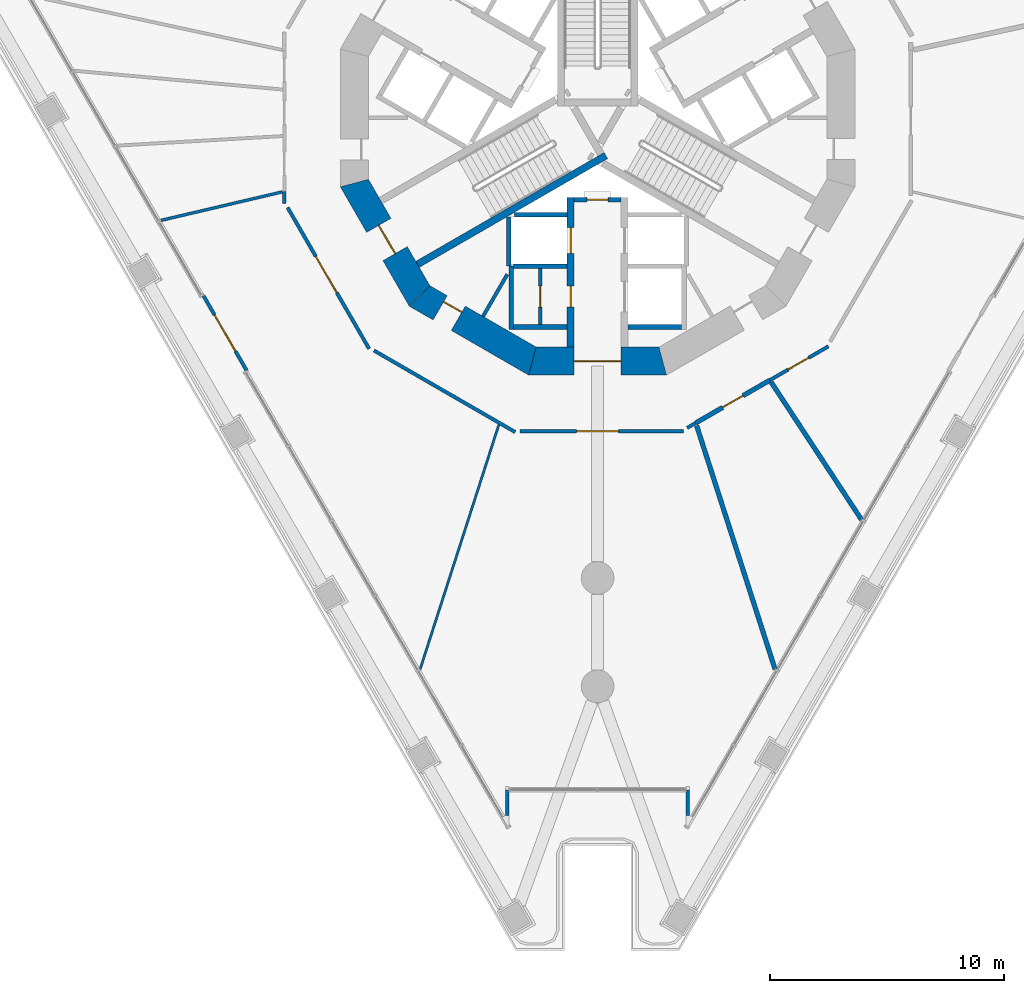
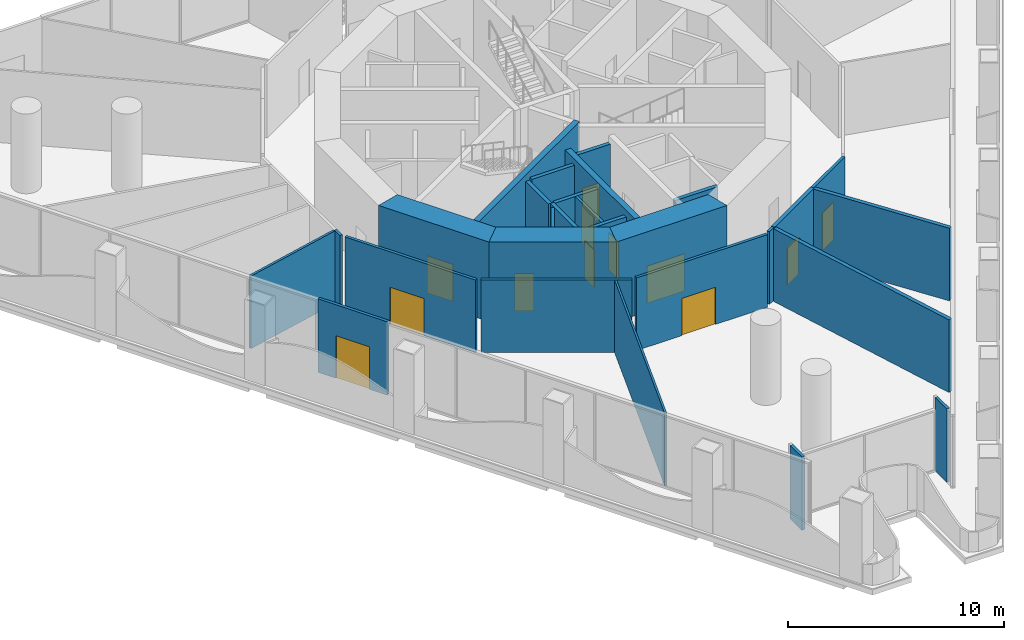
# One storey, part 11 of 23: 28 walls, 12 doors, 12 openings.
"""IFC4 building model written with IfcOpenShell, lengths in metres."""

from ifc_helpers import new_model, si_unit, direction, frame, frame_2d, origin, place, context, subcontext, project, spatial, polyline, rectangle, outline, extrude, material, layer, layer_set, type_object, element, fill, save


model = new_model("IFC4")

# Units and contexts
model_context = context("Model", 3, precision=1e-05, world=origin(), true_north=direction((0.0, 1.0)))
body_context = subcontext(model_context, "Body", "Model", "MODEL_VIEW")
ifc_project = project(units=[si_unit("LENGTHUNIT", "METRE"), si_unit("AREAUNIT", "SQUARE_METRE"), si_unit("VOLUMEUNIT", "CUBIC_METRE"), si_unit("PLANEANGLEUNIT", "RADIAN"), si_unit("MASSUNIT", "GRAM", prefix="KILO")], contexts=[model_context])

# Site, building, storey
site_placement = place(None, origin())
site = spatial("IfcSite", under=ifc_project, at=site_placement, CompositionType="ELEMENT")
building_placement = place(site_placement, origin())
building = spatial("IfcBuilding", under=site, at=building_placement, Name="Trine Commons Tower", CompositionType="ELEMENT")
storey_placement = place(building_placement, frame((0.0, 0.0, 18.0)))
storey = spatial("IfcBuildingStorey", under=building, at=storey_placement, Name="L03", CompositionType="ELEMENT", Elevation=18.0)

# Wall
ifc_material_1 = material(Name="Plasterboard on steel stud", Category="steel")
ifc_layer_1 = layer(ifc_material_1, 0.14990234375)
ifc_layer_set_1 = layer_set([ifc_layer_1], Name="Plasterboard on steel stud")
wall_type_1 = type_object("IfcWallType", Name="Compartment wall 150 mm, EI 60", PredefinedType="PARTITIONING", material=ifc_layer_set_1)
wall_1_placement = place(storey_placement, frame((66.58837890625, 58.831298828125, 0.0), z_axis=(0.0, 0.0, 1.0), x_axis=(0.0, 1.0, 0.0)))
element("IfcWall", 1, at=wall_1_placement, inside=storey, type_object=wall_type_1, Name="Partition P3007", PredefinedType="PARTITIONING", context=body_context, shape_type="SweptSolid", body=[
    extrude(rectangle(XDim=0.521484375, YDim=0.14990234375, at=frame_2d((0.2607421875, 0.0))), origin(), (0.0, 0.0, 1.0), 4.10009765625),
])

# Wall, opening, door
wall_2_placement = place(storey_placement, frame((66.728515625, 58.6640625, 0.0), z_axis=(0.0, 0.0, 1.0), x_axis=(0.49997871953, -0.866037689721, 0.0)))
wall_2 = element("IfcWall", 2, at=wall_2_placement, inside=storey, type_object=wall_type_1, Name="Partition P3008", PredefinedType="PARTITIONING", context=body_context, shape_type="SweptSolid", body=[
    extrude(rectangle(XDim=6.982177734375, YDim=0.14990234375, at=frame_2d((3.4912109375, 0.0))), origin(), (0.0, 0.0, 1.0), 4.10009765625),
])
opening_1_placement = place(wall_2_placement, frame((2.413818359375, 0.0, 0.0)))
opening_1 = element("IfcOpeningElement", 3, at=opening_1_placement, cuts=wall_2, Name="Opening D-P301", PredefinedType="OPENING", context=body_context, shape_type="SweptSolid", body=[
    extrude(rectangle(XDim=1.800048828125, YDim=2.10009765625, at=frame_2d((0.89990234375, 1.050048828125))), frame((0.0, 0.0849609375, 0.0), z_axis=(0.0, -1.0, 0.0), x_axis=(1.0, 0.0, 0.0)), (0.0, 0.0, 1.0), 0.169921875),
])
ifc_material_2 = material(Name="Timber fire door set", Category="wood")
door_type_1 = type_object("IfcDoorType", Name="Double swing door 1800x2100, FD30S", OperationType="DOUBLE_DOOR_DOUBLE_SWING", PredefinedType="DOOR", material=ifc_material_2)
door_1_placement = place(opening_1_placement, origin())
door_1 = element("IfcDoor", 4, at=door_1_placement, inside=storey, type_object=door_type_1, Name="Door D-P301", OperationType="DOUBLE_DOOR_DOUBLE_SWING", OverallHeight=2.10009765625, OverallWidth=1.800048828125, PredefinedType="DOOR", context=body_context, shape_type="SweptSolid", body=[
    extrude(rectangle(XDim=1.800048828125, YDim=2.10009765625, at=frame_2d((0.89990234375, 1.050048828125))), frame((0.0, 0.02490234375, 0.0), z_axis=(0.0, -1.0, 0.0), x_axis=(1.0, 0.0, 0.0)), (0.0, 0.0, 1.0), 0.050048828125),
])
fill(opening_1, door_1)

# Wall
wall_3_placement = place(storey_placement, frame((70.424560546875, 52.5419921875, 0.0), z_axis=(0.0, 0.0, 1.0), x_axis=(0.866037689721, -0.49997871953, 0.0)))
element("IfcWall", 5, at=wall_3_placement, inside=storey, type_object=wall_type_1, Name="Partition P3013", PredefinedType="PARTITIONING", context=body_context, shape_type="SweptSolid", body=[
    extrude(rectangle(XDim=6.982177734375, YDim=0.14990234375, at=frame_2d((3.4912109375, 0.0))), origin(), (0.0, 0.0, 1.0), 4.10009765625),
])

# Wall, opening, door
wall_4_placement = place(storey_placement, frame((76.686279296875, 49.08837890625, 0.0), z_axis=(0.0, 0.0, 1.0), x_axis=(1.0, 0.0, 0.0)))
wall_4 = element("IfcWall", 6, at=wall_4_placement, inside=storey, type_object=wall_type_1, Name="Partition P3017", PredefinedType="PARTITIONING", context=body_context, shape_type="SweptSolid", body=[
    extrude(rectangle(XDim=6.982421875, YDim=0.14990234375, at=frame_2d((3.4912109375, 0.0))), origin(), (0.0, 0.0, 1.0), 4.10009765625),
])
opening_2_placement = place(wall_4_placement, frame((2.413818359375, 0.0, 0.0)))
opening_2 = element("IfcOpeningElement", 7, at=opening_2_placement, cuts=wall_4, Name="Opening D-P308", PredefinedType="OPENING", context=body_context, shape_type="SweptSolid", body=[
    extrude(rectangle(XDim=1.800048828125, YDim=2.10009765625, at=frame_2d((0.89990234375, 1.050048828125))), frame((0.0, 0.0849609375, 0.0), z_axis=(0.0, -1.0, 0.0), x_axis=(1.0, 0.0, 0.0)), (0.0, 0.0, 1.0), 0.169921875),
])
door_2_placement = place(opening_2_placement, origin())
door_2 = element("IfcDoor", 8, at=door_2_placement, inside=storey, type_object=door_type_1, Name="Door D-P308", OperationType="DOUBLE_DOOR_DOUBLE_SWING", OverallHeight=2.10009765625, OverallWidth=1.800048828125, PredefinedType="DOOR", context=body_context, shape_type="SweptSolid", body=[
    extrude(rectangle(XDim=1.800048828125, YDim=2.10009765625, at=frame_2d((0.89990234375, 1.050048828125))), frame((0.0, 0.02490234375, 0.0), z_axis=(0.0, -1.0, 0.0), x_axis=(1.0, 0.0, 0.0)), (0.0, 0.0, 1.0), 0.050048828125),
])
fill(opening_2, door_2)

# Wall
wall_5_placement = place(storey_placement, frame((83.8359375, 49.228515625, 0.0), z_axis=(0.0, 0.0, 1.0), x_axis=(0.866042039906, 0.499971184285, 0.0)))
element("IfcWall", 9, at=wall_5_placement, inside=storey, type_object=wall_type_1, Name="Partition P3021", PredefinedType="PARTITIONING", context=body_context, shape_type="SweptSolid", body=[
    extrude(rectangle(XDim=0.4248046875, YDim=0.14990234375, at=frame_2d((0.21240234375, 0.0))), origin(), (0.0, 0.0, 1.0), 4.10009765625),
])

# Wall, opening, door
wall_6_placement = place(storey_placement, frame((89.8828125, 52.719482421875, 0.0), z_axis=(0.0, 0.0, 1.0), x_axis=(-0.866045189084, -0.49996572929, 0.0)))
wall_6 = element("IfcWall", 10, at=wall_6_placement, inside=storey, type_object=wall_type_1, Name="Partition P3025", PredefinedType="PARTITIONING", context=body_context, shape_type="SweptSolid", body=[
    extrude(rectangle(XDim=2.895751953125, YDim=0.14990234375, at=frame_2d((1.44775390625, 0.0))), origin(), (0.0, 0.0, 1.0), 4.10009765625),
])
opening_3_placement = place(wall_6_placement, frame((0.9853515625, 0.0, 0.0)))
opening_3 = element("IfcOpeningElement", 11, at=opening_3_placement, cuts=wall_6, Name="Opening D-P312", PredefinedType="OPENING", context=body_context, shape_type="SweptSolid", body=[
    extrude(rectangle(XDim=1.0, YDim=2.10009765625, at=frame_2d((0.5, 1.050048828125))), frame((0.0, 0.0849609375, 0.0), z_axis=(0.0, -1.0, 0.0), x_axis=(1.0, 0.0, 0.0)), (0.0, 0.0, 1.0), 0.169921875),
])
door_type_2 = type_object("IfcDoorType", Name="Single swing door 1000x2100, FD30S", OperationType="SINGLE_SWING_LEFT", PredefinedType="DOOR", material=ifc_material_2)
door_3_placement = place(opening_3_placement, origin())
door_3 = element("IfcDoor", 12, at=door_3_placement, inside=storey, type_object=door_type_2, Name="Door D-P312", OperationType="SINGLE_SWING_LEFT", OverallHeight=2.10009765625, OverallWidth=1.0, PredefinedType="DOOR", context=body_context, shape_type="SweptSolid", body=[
    extrude(rectangle(XDim=1.0, YDim=2.10009765625, at=frame_2d((0.5, 1.050048828125))), frame((0.0, 0.02490234375, 0.0), z_axis=(0.0, -1.0, 0.0), x_axis=(1.0, 0.0, 0.0)), (0.0, 0.0, 1.0), 0.050048828125),
])
fill(opening_3, door_3)

# Wall
ifc_material_3 = material(Name="Plasterboard partition on steel studs", Category="steel")
ifc_layer_2 = layer(ifc_material_3, 0.14990234375)
ifc_layer_set_2 = layer_set([ifc_layer_2], Name="Plasterboard partition on steel studs")
wall_type_2 = type_object("IfcWallType", Name="Core room partition 150 mm, EI 60", PredefinedType="PARTITIONING", material=ifc_layer_set_2)
wall_7_placement = place(storey_placement, frame((75.094970703125, 54.0029296875, 0.0), z_axis=(0.0, 0.0, 1.0), x_axis=(0.5000780968, 0.865980309881, 0.0)))
element("IfcWall", 13, at=wall_7_placement, inside=storey, type_object=wall_type_2, Name="Core room partition L03", PredefinedType="PARTITIONING", context=body_context, shape_type="SweptSolid", body=[
    extrude(rectangle(XDim=2.079833984375, YDim=0.14990234375, at=frame_2d((1.0400390625, 0.0))), origin(), (0.0, 0.0, 1.0), 4.14990234375),
])

# Wall, opening, door
wall_8_placement = place(storey_placement, frame((77.550048828125, 56.050048828125, 0.0), z_axis=(0.0, 0.0, 1.0), x_axis=(0.0, -1.0, 0.0)))
wall_8 = element("IfcWall", 14, at=wall_8_placement, inside=storey, type_object=wall_type_2, Name="Core room partition L03", PredefinedType="PARTITIONING", context=body_context, shape_type="SweptSolid", body=[
    extrude(rectangle(XDim=2.400146484375, YDim=0.14990234375, at=frame_2d((1.2001953125, 0.0))), origin(), (0.0, 0.0, 1.0), 4.14990234375),
])
opening_4_placement = place(wall_8_placement, frame((0.75, 0.0, 0.0)))
opening_4 = element("IfcOpeningElement", 15, at=opening_4_placement, cuts=wall_8, Name="Opening K06.11", PredefinedType="OPENING", context=body_context, shape_type="SweptSolid", body=[
    extrude(rectangle(XDim=0.89990234375, YDim=2.10009765625, at=frame_2d((0.449951171875, 1.050048828125))), frame((0.0, 0.0849609375, 0.0), z_axis=(0.0, -1.0, 0.0), x_axis=(1.0, 0.0, 0.0)), (0.0, 0.0, 1.0), 0.169921875),
])
ifc_material_4 = material(Name="Steel door leaf, fire-rated", Category="steel")
door_type_3 = type_object("IfcDoorType", Name="Core room door, single leaf 900 x 2100, FD30S", OperationType="SINGLE_SWING_LEFT", PredefinedType="DOOR", material=ifc_material_4)
door_4_placement = place(opening_4_placement, frame((0.89990234375, 0.0, 0.0), z_axis=(0.0, 0.0, 1.0), x_axis=(-1.0, 0.0, 0.0)))
door_4 = element("IfcDoor", 16, at=door_4_placement, inside=storey, type_object=door_type_3, Name="Door to Pantry L03", OperationType="SINGLE_SWING_LEFT", OverallHeight=2.10009765625, OverallWidth=0.89990234375, PredefinedType="DOOR", context=body_context, shape_type="SweptSolid", body=[
    extrude(rectangle(XDim=0.89990234375, YDim=2.10009765625, at=frame_2d((0.449951171875, 1.050048828125))), frame((0.0, 0.02490234375, 0.0), z_axis=(0.0, -1.0, 0.0), x_axis=(1.0, 0.0, 0.0)), (0.0, 0.0, 1.0), 0.050048828125),
])
fill(opening_4, door_4)

ifc_layer_3 = layer(ifc_material_1, 0.199951171875)
ifc_layer_set_3 = layer_set([ifc_layer_3], Name="Plasterboard on steel stud")
wall_type_3 = type_object("IfcWallType", Name="Fire wall 200 mm, EI 120", PredefinedType="PARTITIONING", material=ifc_layer_set_3)
wall_9_placement = place(storey_placement, frame((87.37548828125, 51.27197265625, 0.0), z_axis=(0.0, 0.0, 1.0), x_axis=(-0.866023518891, -0.500003264717, 0.0)))
wall_9 = element("IfcWall", 17, at=wall_9_placement, inside=storey, type_object=wall_type_3, Name="Partition P3023", PredefinedType="PARTITIONING", context=body_context, shape_type="SweptSolid", body=[
    extrude(rectangle(XDim=3.66259765625, YDim=0.199951171875, at=frame_2d((1.831298828125, 0.0))), origin(), (0.0, 0.0, 1.0), 4.10009765625),
])
opening_5_placement = place(wall_9_placement, frame((1.331298828125, 0.0, 0.0)))
opening_5 = element("IfcOpeningElement", 18, at=opening_5_placement, cuts=wall_9, Name="Opening D-P311", PredefinedType="OPENING", context=body_context, shape_type="SweptSolid", body=[
    extrude(rectangle(XDim=1.0, YDim=2.10009765625, at=frame_2d((0.5, 1.050048828125))), frame((0.0, 0.10986328125, 0.0), z_axis=(0.0, -1.0, 0.0), x_axis=(1.0, 0.0, 0.0)), (0.0, 0.0, 1.0), 0.219970703125),
])
door_5_placement = place(opening_5_placement, origin())
door_5 = element("IfcDoor", 19, at=door_5_placement, inside=storey, type_object=door_type_2, Name="Door D-P311", OperationType="SINGLE_SWING_LEFT", OverallHeight=2.10009765625, OverallWidth=1.0, PredefinedType="DOOR", context=body_context, shape_type="SweptSolid", body=[
    extrude(rectangle(XDim=1.0, YDim=2.10009765625, at=frame_2d((0.5, 1.050048828125))), frame((0.0, 0.02490234375, 0.0), z_axis=(0.0, -1.0, 0.0), x_axis=(1.0, 0.0, 0.0)), (0.0, 0.0, 1.0), 0.050048828125),
])
fill(opening_5, door_5)

# Walls
wall_10_placement = place(storey_placement, frame((84.24169921875, 49.32275390625, 0.0), z_axis=(0.0, 0.0, 1.0), x_axis=(0.306418105316, -0.951897024228, 0.0)))
element("IfcWall", 20, at=wall_10_placement, inside=storey, type_object=wall_type_3, Name="Partition P3024", PredefinedType="PARTITIONING", context=body_context, shape_type="SweptSolid", body=[
    extrude(rectangle(XDim=10.95703125, YDim=0.199951171875, at=frame_2d((5.478515625, 0.0))), origin(), (0.0, 0.0, 1.0), 4.10009765625),
])
wall_11_placement = place(storey_placement, frame((87.433349609375, 51.18310546875, 0.0), z_axis=(0.0, 0.0, 1.0), x_axis=(0.549020778407, -0.835808701126, 0.0)))
element("IfcWall", 21, at=wall_11_placement, inside=storey, type_object=wall_type_3, Name="Partition P3026", PredefinedType="PARTITIONING", context=body_context, shape_type="SweptSolid", body=[
    extrude(rectangle(XDim=7.039306640625, YDim=0.199951171875, at=frame_2d((3.51953125, 0.0))), origin(), (0.0, 0.0, 1.0), 4.10009765625),
])

# Wall, opening, door
ifc_material_5 = material(Name="Aluminium-framed insulated wall panel", Category="aluminium")
ifc_layer_4 = layer(ifc_material_5, 0.14990234375)
ifc_layer_set_4 = layer_set([ifc_layer_4], Name="Aluminium-framed insulated wall panel")
wall_type_4 = type_object("IfcWallType", Name="Glazed entrance wall 150, EI 60", PredefinedType="SOLIDWALL", material=ifc_layer_set_4)
wall_12_placement = place(storey_placement, frame((64.972900390625, 51.688232421875, 0.0), z_axis=(0.0, 0.0, 1.0), x_axis=(-0.499979560991, 0.86603720393, 0.0)))
wall_12 = element("IfcWall", 22, at=wall_12_placement, inside=storey, type_object=wall_type_4, Name="Glazed entrance wall L03 F3 7", PredefinedType="SOLIDWALL", context=body_context, shape_type="SweptSolid", body=[
    extrude(rectangle(XDim=3.698974609375, YDim=0.14990234375, at=frame_2d((1.849609375, 0.0))), origin(), (0.0, 0.0, 1.0), 4.14990234375),
])
opening_6_placement = place(wall_12_placement, frame((0.949462890625, 0.0, 0.0)))
opening_6 = element("IfcOpeningElement", 23, at=opening_6_placement, cuts=wall_12, Name="Opening SD-L03-F3-07", PredefinedType="OPENING", context=body_context, shape_type="SweptSolid", body=[
    extrude(rectangle(XDim=1.800048828125, YDim=2.39990234375, at=frame_2d((0.89990234375, 1.199951171875))), frame((0.0, 0.0849609375, 0.0), z_axis=(0.0, -1.0, 0.0), x_axis=(1.0, 0.0, 0.0)), (0.0, 0.0, 1.0), 0.169921875),
])
ifc_material_6 = material(Name="Anodised aluminium frame with double glazing", Category="aluminium")
door_type_4 = type_object("IfcDoorType", Name="Sliding double door 1800x2400", OperationType="DOUBLE_DOOR_SLIDING", PredefinedType="DOOR", material=ifc_material_6)
door_6_placement = place(opening_6_placement, origin())
door_6 = element("IfcDoor", 24, at=door_6_placement, inside=storey, type_object=door_type_4, Name="Loggia door L03 F3 7", OperationType="DOUBLE_DOOR_SLIDING", OverallHeight=2.39990234375, OverallWidth=1.800048828125, PredefinedType="DOOR", context=body_context, shape_type="SweptSolid", body=[
    extrude(rectangle(XDim=1.800048828125, YDim=2.39990234375, at=frame_2d((0.89990234375, 1.199951171875))), frame((0.0, 0.02490234375, 0.0), z_axis=(0.0, -1.0, 0.0), x_axis=(1.0, 0.0, 0.0)), (0.0, 0.0, 1.0), 0.050048828125),
])
fill(opening_6, door_6)

# Walls
ifc_layer_5 = layer(ifc_material_5, 0.14990234375)
ifc_layer_set_5 = layer_set([ifc_layer_5], Name="Aluminium-framed insulated wall panel")
wall_type_5 = type_object("IfcWallType", Name="Glazed frame wall 150, EI 60", PredefinedType="SOLIDWALL", material=ifc_layer_set_5)
wall_13_placement = place(storey_placement, frame((83.864990234375, 32.48583984375, 0.0), z_axis=(0.0, 0.0, 1.0), x_axis=(0.0, 1.0, 0.0)))
element("IfcWall", 25, at=wall_13_placement, inside=storey, type_object=wall_type_5, Name="Glazed frame wall L03 R9", PredefinedType="SOLIDWALL", context=body_context, shape_type="SweptSolid", body=[
    extrude(outline(polyline([(0.1494140625, 0.074951171875), (0.1494140625, -0.074951171875), (1.235107421875, -0.074951171875), (1.235107421875, 0.074951171875), (0.1494140625, 0.074951171875)])), origin(), (0.0, 0.0, 1.0), 4.14990234375),
])
wall_14_placement = place(storey_placement, frame((76.135009765625, 33.830810546875, 0.0), z_axis=(0.0, 0.0, 1.0), x_axis=(0.0, -1.0, 0.0)))
element("IfcWall", 26, at=wall_14_placement, inside=storey, type_object=wall_type_5, Name="Glazed frame wall L03 R11", PredefinedType="SOLIDWALL", context=body_context, shape_type="SweptSolid", body=[
    extrude(outline(polyline([(0.110107421875, 0.074951171875), (0.110107421875, -0.074951171875), (1.19580078125, -0.074951171875), (1.19580078125, 0.074951171875), (0.110107421875, 0.074951171875)])), origin(), (0.0, 0.0, 1.0), 4.14990234375),
])

# Wall, opening, door
ifc_material_7 = material(Name="Fire-rated gypsum shaft wall system")
ifc_layer_6 = layer(ifc_material_7, 0.199951171875)
ifc_layer_set_6 = layer_set([ifc_layer_6], Name="Fire-rated gypsum shaft wall system")
wall_type_6 = type_object("IfcWallType", Name="Lobby end wall 200 mm, EI 120", PredefinedType="PARTITIONING", material=ifc_layer_set_6)
wall_15_placement = place(storey_placement, frame((79.0, 59.0, 0.0), z_axis=(0.0, 0.0, 1.0), x_axis=(1.0, 0.0, 0.0)))
wall_15 = element("IfcWall", 27, at=wall_15_placement, inside=storey, type_object=wall_type_6, Name="Lobby end wall L03", PredefinedType="PARTITIONING", context=body_context, shape_type="SweptSolid", body=[
    extrude(rectangle(XDim=2.0, YDim=0.199951171875, at=frame_2d((1.0, 0.0))), origin(), (0.0, 0.0, 1.0), 4.14990234375),
])
opening_7_placement = place(wall_15_placement, frame((0.550048828125, 0.0, 0.0)))
opening_7 = element("IfcOpeningElement", 28, at=opening_7_placement, cuts=wall_15, Name="Opening K06.09", PredefinedType="OPENING", context=body_context, shape_type="SweptSolid", body=[
    extrude(rectangle(XDim=0.89990234375, YDim=2.10009765625, at=frame_2d((0.449951171875, 1.050048828125))), frame((0.0, 0.10986328125, 0.0), z_axis=(0.0, -1.0, 0.0), x_axis=(1.0, 0.0, 0.0)), (0.0, 0.0, 1.0), 0.219970703125),
])
door_type_5 = type_object("IfcDoorType", Name="Riser access door, single leaf 900 x 2100, FD60", OperationType="SINGLE_SWING_LEFT", PredefinedType="DOOR", material=ifc_material_4)
door_7_placement = place(opening_7_placement, frame((0.89990234375, 0.0, 0.0), z_axis=(0.0, 0.0, 1.0), x_axis=(-1.0, 0.0, 0.0)))
door_7 = element("IfcDoor", 29, at=door_7_placement, inside=storey, type_object=door_type_5, Name="Riser door, Communications riser L03", OperationType="SINGLE_SWING_RIGHT", OverallHeight=2.10009765625, OverallWidth=0.89990234375, PredefinedType="DOOR", context=body_context, shape_type="SweptSolid", body=[
    extrude(rectangle(XDim=0.89990234375, YDim=2.10009765625, at=frame_2d((0.449951171875, 1.050048828125))), frame((0.0, 0.02490234375, 0.0), z_axis=(0.0, -1.0, 0.0), x_axis=(1.0, 0.0, 0.0)), (0.0, 0.0, 1.0), 0.050048828125),
])
fill(opening_7, door_7)

# Wall
ifc_layer_7 = layer(ifc_material_1, 0.10009765625)
ifc_layer_set_7 = layer_set([ifc_layer_7], Name="Plasterboard on steel stud")
wall_type_7 = type_object("IfcWallType", Name="Partition wall 100 mm stud, not rated", PredefinedType="PARTITIONING", material=ifc_layer_set_7)
wall_16_placement = place(storey_placement, frame((72.401123046875, 38.892578125, 0.0), z_axis=(0.0, 0.0, 1.0), x_axis=(0.306397337524, 0.951903709184, 0.0)))
element("IfcWall", 30, at=wall_16_placement, inside=storey, type_object=wall_type_7, Name="Partition P3015", PredefinedType="PARTITIONING", context=body_context, shape_type="SweptSolid", body=[
    extrude(rectangle(XDim=10.99365234375, YDim=0.10009765625, at=frame_2d((5.496826171875, 0.0))), origin(), (0.0, 0.0, 1.0), 4.10009765625),
])

# Wall, opening, door
ifc_material_8 = material(Name="Concrete C80/95", Category="concrete")
ifc_layer_8 = layer(ifc_material_8, 1.199951171875)
ifc_layer_set_8 = layer_set([ifc_layer_8], Name="Concrete C80/95")
wall_type_8 = type_object("IfcWallType", Name="RC shear wall 1200 mm, C80/95", PredefinedType="SHEAR", material=ifc_layer_set_8)
wall_17_placement = place(storey_placement, frame((69.508056640625, 59.849609375, 0.0), z_axis=(0.0, 0.0, 1.0), x_axis=(0.499979111662, -0.866037463336, 0.0)))
wall_17 = element("IfcWall", 31, at=wall_17_placement, inside=storey, type_object=wall_type_8, Name="Core wall CWA-08 L03", PredefinedType="SHEAR", context=body_context, shape_type="SweptSolid", body=[
    extrude(outline(polyline([(0.0, -0.60009765625), (5.901123046875, -0.60009765625), (5.57958984375, 0.60009765625), (0.321533203125, 0.60009765625), (0.0, -0.60009765625)])), origin(), (0.0, 0.0, 1.0), 4.5),
])
opening_8_placement = place(wall_17_placement, frame((2.25048828125, 0.0, 0.0)))
opening_8 = element("IfcOpeningElement", 32, at=opening_8_placement, cuts=wall_17, Name="Opening K06.02", PredefinedType="OPENING", context=body_context, shape_type="SweptSolid", body=[
    extrude(rectangle(XDim=1.39990234375, YDim=2.10009765625, at=frame_2d((0.699951171875, 1.050048828125))), frame((0.0, 0.60986328125, 0.0), z_axis=(0.0, -1.0, 0.0), x_axis=(1.0, 0.0, 0.0)), (0.0, 0.0, 1.0), 1.219970703125),
])
ifc_material_9 = material(Name="Steel door leaves, fire-rated", Category="steel")
door_type_6 = type_object("IfcDoorType", Name="Stair door, double leaf 1400 x 2100, FD90", OperationType="DOUBLE_DOOR_SINGLE_SWING", PredefinedType="DOOR", material=ifc_material_9)
door_8_placement = place(opening_8_placement, origin())
door_8 = element("IfcDoor", 33, at=door_8_placement, inside=storey, type_object=door_type_6, Name="Stair door to Exit stair ST2A L03", OperationType="DOUBLE_DOOR_SINGLE_SWING", OverallHeight=2.10009765625, OverallWidth=1.39990234375, PredefinedType="DOOR", context=body_context, shape_type="SweptSolid", body=[
    extrude(rectangle(XDim=1.39990234375, YDim=2.10009765625, at=frame_2d((0.699951171875, 1.050048828125))), frame((0.0, 0.02490234375, 0.0), z_axis=(0.0, -1.0, 0.0), x_axis=(1.0, 0.0, 0.0)), (0.0, 0.0, 1.0), 0.050048828125),
])
fill(opening_8, door_8)

wall_18_placement = place(storey_placement, frame((72.239013671875, 54.95849609375, 0.0), z_axis=(0.0, 0.0, 1.0), x_axis=(0.866037463336, -0.499979111662, 0.0)))
wall_18 = element("IfcWall", 34, at=wall_18_placement, inside=storey, type_object=wall_type_8, Name="Core wall CWA-09 L03", PredefinedType="SHEAR", context=body_context, shape_type="SweptSolid", body=[
    extrude(outline(polyline([(0.0, -0.60009765625), (5.901123046875, -0.60009765625), (5.57958984375, 0.60009765625), (0.321533203125, 0.60009765625), (0.0, -0.60009765625)])), origin(), (0.0, 0.0, 1.0), 4.5),
])
opening_9_placement = place(wall_18_placement, frame((1.176513671875, 0.0, 0.0)))
opening_9 = element("IfcOpeningElement", 35, at=opening_9_placement, cuts=wall_18, Name="Opening K06.15", PredefinedType="OPENING", context=body_context, shape_type="SweptSolid", body=[
    extrude(rectangle(XDim=0.89990234375, YDim=2.10009765625, at=frame_2d((0.449951171875, 1.050048828125))), frame((0.0, 0.60986328125, 0.0), z_axis=(0.0, -1.0, 0.0), x_axis=(1.0, 0.0, 0.0)), (0.0, 0.0, 1.0), 1.219970703125),
])
door_9_placement = place(opening_9_placement, origin())
door_9 = element("IfcDoor", 36, at=door_9_placement, inside=storey, type_object=door_type_3, Name="Door to Print room L03", OperationType="SINGLE_SWING_LEFT", OverallHeight=2.10009765625, OverallWidth=0.89990234375, PredefinedType="DOOR", context=body_context, shape_type="SweptSolid", body=[
    extrude(rectangle(XDim=0.89990234375, YDim=2.10009765625, at=frame_2d((0.449951171875, 1.050048828125))), frame((0.0, 0.3251953125, 0.0), z_axis=(0.0, -1.0, 0.0), x_axis=(1.0, 0.0, 0.0)), (0.0, 0.0, 1.0), 0.050048828125),
])
fill(opening_9, door_9)

wall_19_placement = place(storey_placement, frame((77.049560546875, 52.08837890625, 0.0), z_axis=(0.0, 0.0, 1.0), x_axis=(1.0, 0.0, 0.0)))
wall_19 = element("IfcWall", 37, at=wall_19_placement, inside=storey, type_object=wall_type_8, Name="Core wall CWA-10 L03", PredefinedType="SHEAR", context=body_context, shape_type="SweptSolid", body=[
    extrude(outline(polyline([(0.0, -0.60009765625), (5.90087890625, -0.60009765625), (5.57958984375, 0.60009765625), (0.321533203125, 0.60009765625), (0.0, -0.60009765625)])), origin(), (0.0, 0.0, 1.0), 4.5),
])
opening_10_placement = place(wall_19_placement, frame((1.950439453125, 0.0, 0.0)))
opening_10 = element("IfcOpeningElement", 38, at=opening_10_placement, cuts=wall_19, Name="Opening K06.08", PredefinedType="OPENING", context=body_context, shape_type="SweptSolid", body=[
    extrude(rectangle(XDim=2.0, YDim=2.10009765625, at=frame_2d((1.0, 1.050048828125))), frame((0.0, 0.60986328125, 0.0), z_axis=(0.0, -1.0, 0.0), x_axis=(1.0, 0.0, 0.0)), (0.0, 0.0, 1.0), 1.219970703125),
])
door_type_7 = type_object("IfcDoorType", Name="Lobby door, double leaf 2000 x 2100, FD60", OperationType="DOUBLE_DOOR_SINGLE_SWING", PredefinedType="DOOR", material=ifc_material_9)
door_10_placement = place(opening_10_placement, origin())
door_10 = element("IfcDoor", 39, at=door_10_placement, inside=storey, type_object=door_type_7, Name="Lobby door, Service and firefighting lobby L03", OperationType="DOUBLE_DOOR_SINGLE_SWING", OverallHeight=2.10009765625, OverallWidth=2.0, PredefinedType="DOOR", context=body_context, shape_type="SweptSolid", body=[
    extrude(rectangle(XDim=2.0, YDim=2.10009765625, at=frame_2d((1.0, 1.050048828125))), frame((0.0, 0.02490234375, 0.0), z_axis=(0.0, -1.0, 0.0), x_axis=(1.0, 0.0, 0.0)), (0.0, 0.0, 1.0), 0.050048828125),
])
fill(opening_10, door_10)

# Wall, openings, doors
ifc_layer_9 = layer(ifc_material_8, 0.300048828125)
ifc_layer_set_9 = layer_set([ifc_layer_9], Name="Concrete C80/95")
wall_type_9 = type_object("IfcWallType", Name="RC shear wall 300 mm, C80/95", PredefinedType="SHEAR", material=ifc_layer_set_9)
wall_20_placement = place(storey_placement, frame((78.85009765625, 59.10009765625, 0.0), z_axis=(0.0, 0.0, 1.0), x_axis=(0.0, -1.0, 0.0)))
wall_20 = element("IfcWall", 40, at=wall_20_placement, inside=storey, type_object=wall_type_9, Name="Core cross wall SWA-03 L03", PredefinedType="SHEAR", context=body_context, shape_type="SweptSolid", body=[
    extrude(rectangle(XDim=6.412109375, YDim=0.300048828125, at=frame_2d((3.2060546875, 0.0))), origin(), (0.0, 0.0, 1.0), 4.5),
])
opening_11_placement = place(wall_20_placement, frame((3.800048828125, 0.0, 0.0)))
opening_11 = element("IfcOpeningElement", 41, at=opening_11_placement, cuts=wall_20, Name="Opening K06.10", PredefinedType="OPENING", context=body_context, shape_type="SweptSolid", body=[
    extrude(rectangle(XDim=0.89990234375, YDim=2.10009765625, at=frame_2d((0.449951171875, 1.050048828125))), frame((0.0, 0.159912109375, 0.0), z_axis=(0.0, -1.0, 0.0), x_axis=(1.0, 0.0, 0.0)), (0.0, 0.0, 1.0), 0.320068359375),
])
opening_12_placement = place(wall_20_placement, frame((1.300048828125, 0.0, 0.0)))
opening_12 = element("IfcOpeningElement", 42, at=opening_12_placement, cuts=wall_20, Name="Opening LD10", PredefinedType="OPENING", context=body_context, shape_type="SweptSolid", body=[
    extrude(rectangle(XDim=1.10009765625, YDim=2.10009765625, at=frame_2d((0.550048828125, 1.050048828125))), frame((0.0, 0.159912109375, 0.0), z_axis=(0.0, -1.0, 0.0), x_axis=(1.0, 0.0, 0.0)), (0.0, 0.0, 1.0), 0.320068359375),
])
door_11_placement = place(opening_11_placement, frame((0.89990234375, 0.0, 0.0), z_axis=(0.0, 0.0, 1.0), x_axis=(-1.0, 0.0, 0.0)))
door_11 = element("IfcDoor", 43, at=door_11_placement, inside=storey, type_object=door_type_3, Name="Door to Linen store L03", OperationType="SINGLE_SWING_RIGHT", OverallHeight=2.10009765625, OverallWidth=0.89990234375, PredefinedType="DOOR", context=body_context, shape_type="SweptSolid", body=[
    extrude(rectangle(XDim=0.89990234375, YDim=2.10009765625, at=frame_2d((0.449951171875, 1.050048828125))), frame((0.0, 0.02490234375, 0.0), z_axis=(0.0, -1.0, 0.0), x_axis=(1.0, 0.0, 0.0)), (0.0, 0.0, 1.0), 0.050048828125),
])
fill(opening_11, door_11)
ifc_material_10 = material(Name="Stainless steel sliding door leaves", Category="steel")
door_type_8 = type_object("IfcDoorType", Name="Lift landing door, centre-opening sliding 1100 x 2100, FD90", OperationType="DOUBLE_DOOR_SLIDING", PredefinedType="DOOR", material=ifc_material_10)
door_12_placement = place(opening_12_placement, origin())
door_12 = element("IfcDoor", 44, at=door_12_placement, inside=storey, type_object=door_type_8, Name="Lift landing door FF2 L03", OperationType="DOUBLE_DOOR_SLIDING", OverallHeight=2.10009765625, OverallWidth=1.10009765625, PredefinedType="DOOR", context=body_context, shape_type="SweptSolid", body=[
    extrude(rectangle(XDim=1.10009765625, YDim=2.10009765625, at=frame_2d((0.550048828125, 1.050048828125))), frame((0.0, 0.02490234375, 0.0), z_axis=(0.0, -1.0, 0.0), x_axis=(1.0, 0.0, 0.0)), (0.0, 0.0, 1.0), 0.050048828125),
])
fill(opening_12, door_12)

# Walls
wall_21_placement = place(storey_placement, frame((80.35400390625, 60.885986328125, 0.0), z_axis=(0.0, 0.0, 1.0), x_axis=(-0.865986456211, -0.50006745311, 0.0)))
element("IfcWall", 45, at=wall_21_placement, inside=storey, type_object=wall_type_9, Name="Core cross wall SWA-14 L03", PredefinedType="SHEAR", context=body_context, shape_type="SweptSolid", body=[
    extrude(rectangle(XDim=9.310791015625, YDim=0.300048828125, at=frame_2d((4.6552734375, 0.0))), origin(), (0.0, 0.0, 1.0), 4.5),
])
ifc_layer_10 = layer(ifc_material_7, 0.199951171875)
ifc_layer_set_10 = layer_set([ifc_layer_10], Name="Fire-rated gypsum shaft wall system")
wall_type_10 = type_object("IfcWallType", Name="Shaft wall 200 mm, EI 120", PredefinedType="PARTITIONING", material=ifc_layer_set_10)
wall_22_placement = place(storey_placement, frame((76.199951171875, 58.256103515625, 0.0), z_axis=(0.0, 0.0, 1.0), x_axis=(0.0, -1.0, 0.0)))
element("IfcWall", 46, at=wall_22_placement, inside=storey, type_object=wall_type_10, Name="Shaft wall L03", PredefinedType="PARTITIONING", context=body_context, shape_type="SweptSolid", body=[
    extrude(rectangle(XDim=2.106201171875, YDim=0.199951171875, at=frame_2d((1.05322265625, 0.0))), origin(), (0.0, 0.0, 1.0), 4.14990234375),
])
wall_23_placement = place(storey_placement, frame((76.300048828125, 56.14990234375, 0.0), z_axis=(0.0, 0.0, 1.0), x_axis=(0.0, -1.0, 0.0)))
element("IfcWall", 47, at=wall_23_placement, inside=storey, type_object=wall_type_10, Name="Shaft wall L03", PredefinedType="PARTITIONING", context=body_context, shape_type="SweptSolid", body=[
    extrude(rectangle(XDim=2.699951171875, YDim=0.199951171875, at=frame_2d((1.35009765625, 0.0))), origin(), (0.0, 0.0, 1.0), 4.14990234375),
])
for number, where, z_axis, x_axis, name in (
    (48, (78.699951171875, 53.550048828125, 0.0), (0.0, 0.0, 1.0), (-1.0, 0.0, 0.0), "Shaft wall L03"),
    (49, (78.699951171875, 56.14990234375, 0.0), (0.0, 0.0, 1.0), (-1.0, 0.0, 0.0), "Shaft wall L03"),
):
    element("IfcWall", number, at=place(storey_placement, frame(where, z_axis=z_axis, x_axis=x_axis)), inside=storey, type_object=wall_type_10, Name=name, PredefinedType="PARTITIONING", context=body_context, shape_type="SweptSolid", body=[
        extrude(rectangle(XDim=2.300048828125, YDim=0.199951171875, at=frame_2d((1.14990234375, 0.0))), origin(), (0.0, 0.0, 1.0), 4.14990234375),
    ])
wall_24_placement = place(storey_placement, frame((78.699951171875, 58.35009765625, 0.0), z_axis=(0.0, 0.0, 1.0), x_axis=(-1.0, 0.0, 0.0)))
element("IfcWall", 50, at=wall_24_placement, inside=storey, type_object=wall_type_10, Name="Shaft wall L03", PredefinedType="PARTITIONING", context=body_context, shape_type="SweptSolid", body=[
    extrude(rectangle(XDim=2.264892578125, YDim=0.199951171875, at=frame_2d((1.13232421875, 0.0))), origin(), (0.0, 0.0, 1.0), 4.14990234375),
])
wall_25_placement = place(storey_placement, frame((81.300048828125, 53.550048828125, 0.0), z_axis=(0.0, 0.0, 1.0), x_axis=(1.0, 0.0, 0.0)))
element("IfcWall", 51, at=wall_25_placement, inside=storey, type_object=wall_type_10, Name="Shaft wall L03", PredefinedType="PARTITIONING", context=body_context, shape_type="SweptSolid", body=[
    extrude(rectangle(XDim=2.300048828125, YDim=0.199951171875, at=frame_2d((1.14990234375, 0.0))), origin(), (0.0, 0.0, 1.0), 4.14990234375),
])
ifc_layer_11 = layer(ifc_material_1, 0.125)
ifc_layer_set_11 = layer_set([ifc_layer_11], Name="Plasterboard on steel stud")
wall_type_11 = type_object("IfcWallType", Name="Wet wall 125 mm stud, not rated", PredefinedType="PARTITIONING", material=ifc_layer_set_11)
wall_26_placement = place(storey_placement, frame((61.304443359375, 58.112548828125, 0.0), z_axis=(0.0, 0.0, 1.0), x_axis=(0.973555602475, 0.228450189076, 0.0)))
element("IfcWall", 52, at=wall_26_placement, inside=storey, type_object=wall_type_11, Name="Partition P3005", PredefinedType="PARTITIONING", context=body_context, shape_type="SweptSolid", body=[
    extrude(rectangle(XDim=5.3359375, YDim=0.125, at=frame_2d((2.66796875, 0.0))), origin(), (0.0, 0.0, 1.0), 4.10009765625),
])

save(model, "model.ifc")
